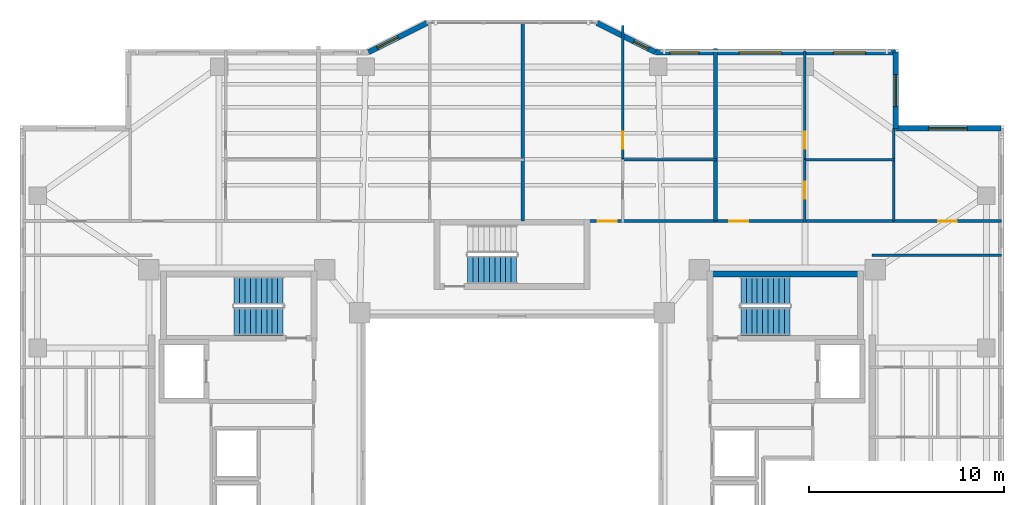
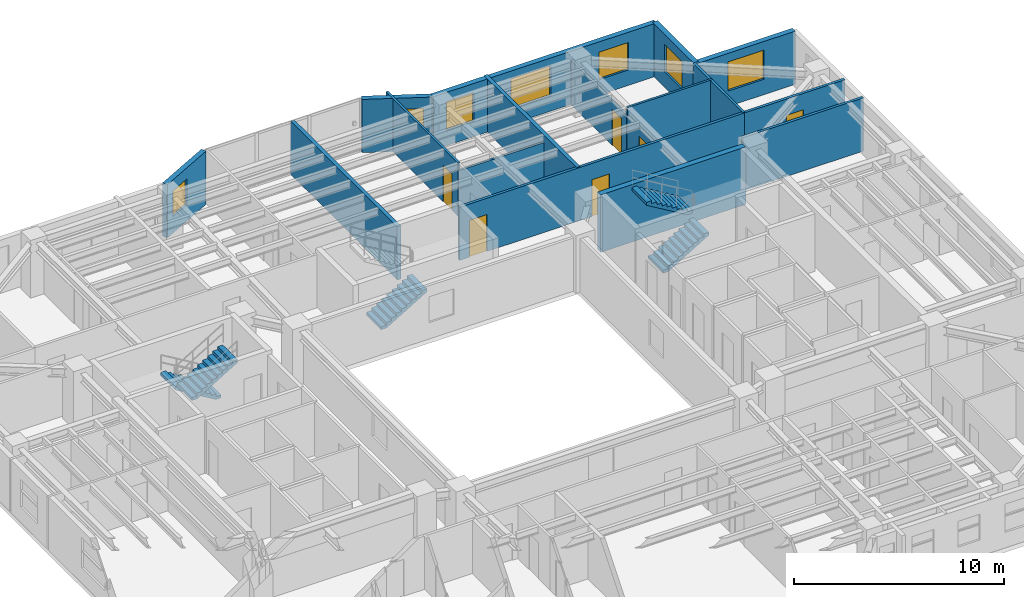
# One storey, part 11 of 16: 17 walls, 7 windows, 6 doors, 5 stair flights, 13 openings, 3 elements without a shape of their own.
"""IFC4 building model written with IfcOpenShell, lengths in metres."""

from ifc_helpers import new_model, si_unit, direction, frame, frame_2d, origin, place, context, subcontext, project, spatial, polyline, rectangle, outline, extrude, material, layer, layer_set, type_object, element, fill, aggregate, save


model = new_model("IFC4")

# Units and contexts
model_context = context("Model", 3, precision=1e-05, world=origin(), true_north=direction((0.0, 1.0)))
body_context = subcontext(model_context, "Body", "Model", "MODEL_VIEW")
ifc_project = project(units=[si_unit("LENGTHUNIT", "METRE"), si_unit("AREAUNIT", "SQUARE_METRE"), si_unit("VOLUMEUNIT", "CUBIC_METRE"), si_unit("PLANEANGLEUNIT", "RADIAN"), si_unit("MASSUNIT", "GRAM", prefix="KILO")], contexts=[model_context])

# Site, building, storey
site_placement = place(None, origin())
site = spatial("IfcSite", under=ifc_project, at=site_placement, CompositionType="ELEMENT")
building_placement = place(site_placement, origin())
building = spatial("IfcBuilding", under=site, at=building_placement, Name="Tarnavaz Court Tower", CompositionType="ELEMENT")
storey_placement = place(building_placement, frame((0.0, 0.0, 166.10009765625)))
storey = spatial("IfcBuildingStorey", under=building, at=storey_placement, Name="L45", CompositionType="ELEMENT", Elevation=166.10009765625)

# Wall
ifc_material_1 = material(Name="Concrete C50/60", Category="concrete")
ifc_layer_1 = layer(ifc_material_1, 0.300048828125)
ifc_layer_set_1 = layer_set([ifc_layer_1], Name="Concrete C50/60")
wall_type_1 = type_object("IfcWallType", Name="WL-CORE-300-C50", PredefinedType="SHEAR", material=ifc_layer_set_1)
wall_1_placement = place(storey_placement, frame((10.0, 9.7900390625, 0.0), z_axis=(0.0, 0.0, 1.0), x_axis=(1.0, 0.0, 0.0)))
element("IfcWall", 1, at=wall_1_placement, inside=storey, type_object=wall_type_1, Name="L45 East Stair Core Wall 005", PredefinedType="SHEAR", context=body_context, shape_type="SweptSolid", body=[
    extrude(rectangle(XDim=8.0, YDim=0.300048828125, at=frame_2d((4.0, 0.0))), origin(), (0.0, 0.0, 1.0), 3.349853515625),
])

# Wall, opening, window
ifc_material_2 = material(Name="Precast Concrete C40/50", Category="concrete")
ifc_layer_2 = layer(ifc_material_2, 0.280029296875)
ifc_layer_set_2 = layer_set([ifc_layer_2], Name="Precast Concrete C40/50")
wall_type_2 = type_object("IfcWallType", Name="WL-EXT-280", PredefinedType="SOLIDWALL", material=ifc_layer_set_2)
wall_2_placement = place(storey_placement, frame((-7.35009765625, 21.14990234375, 0.0), z_axis=(0.0, 0.0, 1.0), x_axis=(0.894427191, 0.4472135955, 0.0)))
wall_2 = element("IfcWall", 2, at=wall_2_placement, inside=storey, type_object=wall_type_2, Name="L45 Exterior Terracotta Facade Wall 06", PredefinedType="SOLIDWALL", context=body_context, shape_type="SweptSolid", body=[
    extrude(rectangle(XDim=3.35400390625, YDim=0.280029296875, at=frame_2d((1.677001953125, 0.0))), origin(), (0.0, 0.0, 1.0), 3.099853515625),
])
opening_1_placement = place(wall_2_placement, frame((0.501220703125, 0.0, 0.949951171875)))
opening_1 = element("IfcOpeningElement", 3, at=opening_1_placement, cuts=wall_2, Name="Opening W05", PredefinedType="OPENING", context=body_context, shape_type="SweptSolid", body=[
    extrude(rectangle(XDim=1.199951171875, YDim=1.5, at=frame_2d((0.60009765625, 0.75))), frame((0.0, 0.14990234375, 0.0), z_axis=(0.0, -1.0, 0.0), x_axis=(1.0, 0.0, 0.0)), (0.0, 0.0, 1.0), 0.300048828125),
])
ifc_material_3 = material(Name="Double-Glazed Solar Low-E Glass", Category="glass")
window_type_1 = type_object("IfcWindowType", Name="WN-APT-1200", PartitioningType="SINGLE_PANEL", PredefinedType="WINDOW", material=ifc_material_3)
window_1_placement = place(opening_1_placement, origin())
window_1 = element("IfcWindow", 4, at=window_1_placement, inside=storey, type_object=window_type_1, Name="L45 Flat 02 Studio Living and Sleeping Room Window", OverallHeight=1.5, OverallWidth=1.199951171875, PartitioningType="SINGLE_PANEL", PredefinedType="WINDOW", context=body_context, shape_type="SweptSolid", body=[
    extrude(rectangle(XDim=1.199951171875, YDim=1.5, at=frame_2d((0.60009765625, 0.75))), frame((0.0, 0.030029296875, 0.0), z_axis=(0.0, -1.0, 0.0), x_axis=(1.0, 0.0, 0.0)), (0.0, 0.0, 1.0), 0.06005859375),
])
fill(opening_1, window_1)

wall_3_placement = place(storey_placement, frame((4.35009765625, 22.64990234375, 0.0), z_axis=(0.0, 0.0, 1.0), x_axis=(0.894427191, -0.4472135955, 0.0)))
wall_3 = element("IfcWall", 5, at=wall_3_placement, inside=storey, type_object=wall_type_2, Name="L45 Exterior Terracotta Facade Wall 08", PredefinedType="SOLIDWALL", context=body_context, shape_type="SweptSolid", body=[
    extrude(rectangle(XDim=3.35400390625, YDim=0.280029296875, at=frame_2d((1.677001953125, 0.0))), origin(), (0.0, 0.0, 1.0), 3.099853515625),
])
opening_2_placement = place(wall_3_placement, frame((2.1083984375, 0.0, 0.949951171875)))
opening_2 = element("IfcOpeningElement", 6, at=opening_2_placement, cuts=wall_3, Name="Opening W15", PredefinedType="OPENING", context=body_context, shape_type="SweptSolid", body=[
    extrude(rectangle(XDim=0.85009765625, YDim=1.5, at=frame_2d((0.425048828125, 0.75))), frame((0.0, 0.14990234375, 0.0), z_axis=(0.0, -1.0, 0.0), x_axis=(1.0, 0.0, 0.0)), (0.0, 0.0, 1.0), 0.300048828125),
])
window_type_2 = type_object("IfcWindowType", Name="WN-APT-850", PartitioningType="SINGLE_PANEL", PredefinedType="WINDOW", material=ifc_material_3)
window_2_placement = place(opening_2_placement, origin())
window_2 = element("IfcWindow", 7, at=window_2_placement, inside=storey, type_object=window_type_2, Name="L45 Flat 03 Kitchen Window", OverallHeight=1.5, OverallWidth=0.85009765625, PartitioningType="SINGLE_PANEL", PredefinedType="WINDOW", context=body_context, shape_type="SweptSolid", body=[
    extrude(rectangle(XDim=0.85009765625, YDim=1.5, at=frame_2d((0.425048828125, 0.75))), frame((0.0, 0.030029296875, 0.0), z_axis=(0.0, -1.0, 0.0), x_axis=(1.0, 0.0, 0.0)), (0.0, 0.0, 1.0), 0.06005859375),
])
fill(opening_2, window_2)

# Wall, openings, windows
wall_4_placement = place(storey_placement, frame((7.35009765625, 21.14990234375, 0.0), z_axis=(0.0, 0.0, 1.0), x_axis=(1.0, 0.0, 0.0)))
wall_4 = element("IfcWall", 8, at=wall_4_placement, inside=storey, type_object=wall_type_2, Name="L45 Exterior Terracotta Facade Wall 09", PredefinedType="SOLIDWALL", context=body_context, shape_type="SweptSolid", body=[
    extrude(rectangle(XDim=12.2998046875, YDim=0.280029296875, at=frame_2d((6.14990234375, 0.0))), origin(), (0.0, 0.0, 1.0), 3.099853515625),
])
opening_3_placement = place(wall_4_placement, frame((0.73095703125, 0.0, 0.89990234375)))
opening_3 = element("IfcOpeningElement", 9, at=opening_3_placement, cuts=wall_4, Name="Opening W03", PredefinedType="OPENING", context=body_context, shape_type="SweptSolid", body=[
    extrude(rectangle(XDim=1.5, YDim=1.64990234375, at=frame_2d((0.75, 0.824951171875))), frame((0.0, 0.14990234375, 0.0), z_axis=(0.0, -1.0, 0.0), x_axis=(1.0, 0.0, 0.0)), (0.0, 0.0, 1.0), 0.300048828125),
])
opening_4_placement = place(wall_4_placement, frame((4.271728515625, 0.0, 0.89990234375)))
opening_4 = element("IfcOpeningElement", 10, at=opening_4_placement, cuts=wall_4, Name="Opening W07", PredefinedType="OPENING", context=body_context, shape_type="SweptSolid", body=[
    extrude(rectangle(XDim=2.199951171875, YDim=1.75, at=frame_2d((1.10009765625, 0.875))), frame((0.0, 0.14990234375, 0.0), z_axis=(0.0, -1.0, 0.0), x_axis=(1.0, 0.0, 0.0)), (0.0, 0.0, 1.0), 0.300048828125),
])
opening_5_placement = place(wall_4_placement, frame((9.115478515625, 0.0, 0.89990234375)))
opening_5 = element("IfcOpeningElement", 11, at=opening_5_placement, cuts=wall_4, Name="Opening W02", PredefinedType="OPENING", context=body_context, shape_type="SweptSolid", body=[
    extrude(rectangle(XDim=1.64990234375, YDim=1.60009765625, at=frame_2d((0.824951171875, 0.800048828125))), frame((0.0, 0.14990234375, 0.0), z_axis=(0.0, -1.0, 0.0), x_axis=(1.0, 0.0, 0.0)), (0.0, 0.0, 1.0), 0.300048828125),
])
window_type_3 = type_object("IfcWindowType", Name="WN-APT-1500", PartitioningType="DOUBLE_PANEL_VERTICAL", PredefinedType="WINDOW", material=ifc_material_3)
window_3_placement = place(opening_3_placement, origin())
window_3 = element("IfcWindow", 12, at=window_3_placement, inside=storey, type_object=window_type_3, Name="L45 Flat 03 Kitchen Window", OverallHeight=1.64990234375, OverallWidth=1.5, PartitioningType="SINGLE_PANEL", PredefinedType="WINDOW", context=body_context, shape_type="SweptSolid", body=[
    extrude(rectangle(XDim=1.5, YDim=1.64990234375, at=frame_2d((0.75, 0.824951171875))), frame((0.0, 0.030029296875, 0.0), z_axis=(0.0, -1.0, 0.0), x_axis=(1.0, 0.0, 0.0)), (0.0, 0.0, 1.0), 0.06005859375),
])
fill(opening_3, window_3)
window_type_4 = type_object("IfcWindowType", Name="WN-APT-1650", PartitioningType="DOUBLE_PANEL_VERTICAL", PredefinedType="WINDOW", material=ifc_material_3)
window_4_placement = place(opening_5_placement, origin())
window_4 = element("IfcWindow", 13, at=window_4_placement, inside=storey, type_object=window_type_4, Name="L45 Flat 04 Kitchen Window", OverallHeight=1.60009765625, OverallWidth=1.64990234375, PartitioningType="SINGLE_PANEL", PredefinedType="WINDOW", context=body_context, shape_type="SweptSolid", body=[
    extrude(rectangle(XDim=1.64990234375, YDim=1.60009765625, at=frame_2d((0.824951171875, 0.800048828125))), frame((0.0, 0.030029296875, 0.0), z_axis=(0.0, -1.0, 0.0), x_axis=(1.0, 0.0, 0.0)), (0.0, 0.0, 1.0), 0.06005859375),
])
fill(opening_5, window_4)
window_type_5 = type_object("IfcWindowType", Name="WN-APT-2200", PartitioningType="TRIPLE_PANEL_VERTICAL", PredefinedType="WINDOW", material=ifc_material_3)
window_5_placement = place(opening_4_placement, origin())
window_5 = element("IfcWindow", 14, at=window_5_placement, inside=storey, type_object=window_type_5, Name="L45 Flat 04 Studio Living and Sleeping Room Window", OverallHeight=1.75, OverallWidth=2.199951171875, PartitioningType="SINGLE_PANEL", PredefinedType="WINDOW", context=body_context, shape_type="SweptSolid", body=[
    extrude(rectangle(XDim=2.199951171875, YDim=1.75, at=frame_2d((1.10009765625, 0.875))), frame((0.0, 0.030029296875, 0.0), z_axis=(0.0, -1.0, 0.0), x_axis=(1.0, 0.0, 0.0)), (0.0, 0.0, 1.0), 0.06005859375),
])
fill(opening_4, window_5)

# Wall, opening, window
wall_5_placement = place(storey_placement, frame((19.64990234375, 21.14990234375, 0.0), z_axis=(0.0, 0.0, 1.0), x_axis=(0.0, -1.0, 0.0)))
wall_5 = element("IfcWall", 15, at=wall_5_placement, inside=storey, type_object=wall_type_2, Name="L45 Exterior Terracotta Facade Wall 10", PredefinedType="SOLIDWALL", context=body_context, shape_type="SweptSolid", body=[
    extrude(rectangle(XDim=3.89990234375, YDim=0.280029296875, at=frame_2d((1.949951171875, 0.0))), origin(), (0.0, 0.0, 1.0), 3.099853515625),
])
opening_6_placement = place(wall_5_placement, frame((1.142822265625, 0.0, 0.89990234375)))
opening_6 = element("IfcOpeningElement", 16, at=opening_6_placement, cuts=wall_5, Name="Opening W02", PredefinedType="OPENING", context=body_context, shape_type="SweptSolid", body=[
    extrude(rectangle(XDim=1.64990234375, YDim=1.60009765625, at=frame_2d((0.824951171875, 0.800048828125))), frame((0.0, 0.14990234375, 0.0), z_axis=(0.0, -1.0, 0.0), x_axis=(1.0, 0.0, 0.0)), (0.0, 0.0, 1.0), 0.300048828125),
])
window_6_placement = place(opening_6_placement, origin())
window_6 = element("IfcWindow", 17, at=window_6_placement, inside=storey, type_object=window_type_4, Name="L45 Flat 04 Kitchen Window", OverallHeight=1.60009765625, OverallWidth=1.64990234375, PartitioningType="SINGLE_PANEL", PredefinedType="WINDOW", context=body_context, shape_type="SweptSolid", body=[
    extrude(rectangle(XDim=1.64990234375, YDim=1.60009765625, at=frame_2d((0.824951171875, 0.800048828125))), frame((0.0, 0.030029296875, 0.0), z_axis=(0.0, -1.0, 0.0), x_axis=(1.0, 0.0, 0.0)), (0.0, 0.0, 1.0), 0.06005859375),
])
fill(opening_6, window_6)

wall_6_placement = place(storey_placement, frame((19.64990234375, 17.25, 0.0), z_axis=(0.0, 0.0, 1.0), x_axis=(1.0, 0.0, 0.0)))
wall_6 = element("IfcWall", 18, at=wall_6_placement, inside=storey, type_object=wall_type_2, Name="L45 Exterior Terracotta Facade Wall 11", PredefinedType="SOLIDWALL", context=body_context, shape_type="SweptSolid", body=[
    extrude(rectangle(XDim=5.400146484375, YDim=0.280029296875, at=frame_2d((2.7001953125, 0.0))), origin(), (0.0, 0.0, 1.0), 3.099853515625),
])
opening_7_placement = place(wall_6_placement, frame((1.675048828125, 0.0, 0.89990234375)))
opening_7 = element("IfcOpeningElement", 19, at=opening_7_placement, cuts=wall_6, Name="Opening W08", PredefinedType="OPENING", context=body_context, shape_type="SweptSolid", body=[
    extrude(rectangle(XDim=2.0, YDim=1.699951171875, at=frame_2d((1.0, 0.85009765625))), frame((0.0, 0.14990234375, 0.0), z_axis=(0.0, -1.0, 0.0), x_axis=(1.0, 0.0, 0.0)), (0.0, 0.0, 1.0), 0.300048828125),
])
window_type_6 = type_object("IfcWindowType", Name="WN-APT-2000", PartitioningType="DOUBLE_PANEL_VERTICAL", PredefinedType="WINDOW", material=ifc_material_3)
window_7_placement = place(opening_7_placement, origin())
window_7 = element("IfcWindow", 20, at=window_7_placement, inside=storey, type_object=window_type_6, Name="L45 North-East Corner Sunroom Study Window", OverallHeight=1.699951171875, OverallWidth=2.0, PartitioningType="SINGLE_PANEL", PredefinedType="WINDOW", context=body_context, shape_type="SweptSolid", body=[
    extrude(rectangle(XDim=2.0, YDim=1.699951171875, at=frame_2d((1.0, 0.85009765625))), frame((0.0, 0.030029296875, 0.0), z_axis=(0.0, -1.0, 0.0), x_axis=(1.0, 0.0, 0.0)), (0.0, 0.0, 1.0), 0.06005859375),
])
fill(opening_7, window_7)

# Wall, openings, doors
ifc_material_4 = material(Name="Gypsum Fire-Board on Acoustic Metal Stud", Category="masonry")
ifc_layer_3 = layer(ifc_material_4, 0.14990234375)
ifc_layer_set_3 = layer_set([ifc_layer_3], Name="Gypsum Fire-Board on Acoustic Metal Stud")
wall_type_3 = type_object("IfcWallType", Name="WL-FIRE-150", PredefinedType="PARTITIONING", material=ifc_layer_set_3)
wall_7_placement = place(storey_placement, frame((3.85009765625, 12.5, 0.0), z_axis=(0.0, 0.0, 1.0), x_axis=(1.0, 0.0, 0.0)))
wall_7 = element("IfcWall", 21, at=wall_7_placement, inside=storey, type_object=wall_type_3, Name="L45 NE Wing Corridor Wall 072", PredefinedType="PARTITIONING", context=body_context, shape_type="SweptSolid", body=[
    extrude(rectangle(XDim=15.699951171875, YDim=0.14990234375, at=frame_2d((7.85009765625, 0.0))), origin(), (0.0, 0.0, 1.0), 3.099853515625),
])
opening_8_placement = place(wall_7_placement, frame((0.550048828125, 0.0, 0.0)))
opening_8 = element("IfcOpeningElement", 22, at=opening_8_placement, cuts=wall_7, Name="Opening D06", PredefinedType="OPENING", context=body_context, shape_type="SweptSolid", body=[
    extrude(rectangle(XDim=0.9599609375, YDim=2.14990234375, at=frame_2d((0.47998046875, 1.074951171875))), frame((0.0, 0.0849609375, 0.0), z_axis=(0.0, -1.0, 0.0), x_axis=(1.0, 0.0, 0.0)), (0.0, 0.0, 1.0), 0.169921875),
])
opening_9_placement = place(wall_7_placement, frame((7.280029296875, 0.0, 0.0)))
opening_9 = element("IfcOpeningElement", 23, at=opening_9_placement, cuts=wall_7, Name="Opening D06", PredefinedType="OPENING", context=body_context, shape_type="SweptSolid", body=[
    extrude(rectangle(XDim=0.9599609375, YDim=2.14990234375, at=frame_2d((0.47998046875, 1.074951171875))), frame((0.0, 0.0849609375, 0.0), z_axis=(0.0, -1.0, 0.0), x_axis=(1.0, 0.0, 0.0)), (0.0, 0.0, 1.0), 0.169921875),
])
ifc_material_5 = material(Name="Fire-Rated Hardwood Timber Core", Category="wood")
door_type_1 = type_object("IfcDoorType", Name="DR-FD60-950", OperationType="NOTDEFINED", PredefinedType="DOOR", material=ifc_material_5)
door_1_placement = place(opening_8_placement, origin())
door_1 = element("IfcDoor", 24, at=door_1_placement, inside=storey, type_object=door_type_1, Name="L45 Flat 03 Entrance Door", OperationType="SINGLE_SWING_LEFT", OverallHeight=2.14990234375, OverallWidth=0.9599609375, PredefinedType="DOOR", context=body_context, shape_type="SweptSolid", body=[
    extrude(rectangle(XDim=0.9599609375, YDim=2.14990234375, at=frame_2d((0.47998046875, 1.074951171875))), frame((0.0, 0.02490234375, 0.0), z_axis=(0.0, -1.0, 0.0), x_axis=(1.0, 0.0, 0.0)), (0.0, 0.0, 1.0), 0.050048828125),
])
fill(opening_8, door_1)
door_2_placement = place(opening_9_placement, origin())
door_2 = element("IfcDoor", 25, at=door_2_placement, inside=storey, type_object=door_type_1, Name="L45 Flat 04 Entrance Door", OperationType="SINGLE_SWING_RIGHT", OverallHeight=2.14990234375, OverallWidth=0.9599609375, PredefinedType="DOOR", context=body_context, shape_type="SweptSolid", body=[
    extrude(rectangle(XDim=0.9599609375, YDim=2.14990234375, at=frame_2d((0.47998046875, 1.074951171875))), frame((0.0, 0.02490234375, 0.0), z_axis=(0.0, -1.0, 0.0), x_axis=(1.0, 0.0, 0.0)), (0.0, 0.0, 1.0), 0.050048828125),
])
fill(opening_9, door_2)

# Wall
wall_8_placement = place(storey_placement, frame((18.449951171875, 10.75, 0.0), z_axis=(0.0, 0.0, 1.0), x_axis=(1.0, 0.0, 0.0)))
element("IfcWall", 26, at=wall_8_placement, inside=storey, type_object=wall_type_3, Name="L45 Interior Partition 117", PredefinedType="PARTITIONING", context=body_context, shape_type="SweptSolid", body=[
    extrude(rectangle(XDim=6.630126953125, YDim=0.14990234375, at=frame_2d((3.31494140625, 0.0))), origin(), (0.0, 0.0, 1.0), 3.099853515625),
])

# Wall, opening, door
wall_9_placement = place(storey_placement, frame((19.550048828125, 12.5, 0.0), z_axis=(0.0, 0.0, 1.0), x_axis=(1.0, 0.0, 0.0)))
wall_9 = element("IfcWall", 27, at=wall_9_placement, inside=storey, type_object=wall_type_3, Name="L45 Interior Partition 123", PredefinedType="PARTITIONING", context=body_context, shape_type="SweptSolid", body=[
    extrude(rectangle(XDim=5.530029296875, YDim=0.14990234375, at=frame_2d((2.76513671875, 0.0))), origin(), (0.0, 0.0, 1.0), 3.099853515625),
])
opening_10_placement = place(wall_9_placement, frame((2.2900390625, 0.0, 0.0)))
opening_10 = element("IfcOpeningElement", 28, at=opening_10_placement, cuts=wall_9, Name="Opening D13", PredefinedType="OPENING", context=body_context, shape_type="SweptSolid", body=[
    extrude(rectangle(XDim=0.949951171875, YDim=2.14990234375, at=frame_2d((0.47509765625, 1.074951171875))), frame((0.0, 0.0849609375, 0.0), z_axis=(0.0, -1.0, 0.0), x_axis=(1.0, 0.0, 0.0)), (0.0, 0.0, 1.0), 0.169921875),
])
ifc_material_6 = material(Name="Engineered Oak Timber", Category="wood")
door_type_2 = type_object("IfcDoorType", Name="DR-INT-950", OperationType="NOTDEFINED", PredefinedType="DOOR", material=ifc_material_6)
door_3_placement = place(opening_10_placement, origin())
door_3 = element("IfcDoor", 29, at=door_3_placement, inside=storey, type_object=door_type_2, Name="L45 NE Sunroom Door", OperationType="SINGLE_SWING_RIGHT", OverallHeight=2.14990234375, OverallWidth=0.949951171875, PredefinedType="DOOR", context=body_context, shape_type="SweptSolid", body=[
    extrude(rectangle(XDim=0.949951171875, YDim=2.14990234375, at=frame_2d((0.47509765625, 1.074951171875))), frame((0.0, 0.02490234375, 0.0), z_axis=(0.0, -1.0, 0.0), x_axis=(1.0, 0.0, 0.0)), (0.0, 0.0, 1.0), 0.050048828125),
])
fill(opening_10, door_3)

# Walls
ifc_material_7 = material(Name="Autoclaved Aerated Concrete Blockwork", Category="masonry")
ifc_layer_4 = layer(ifc_material_7, 0.199951171875)
ifc_layer_set_4 = layer_set([ifc_layer_4], Name="Autoclaved Aerated Concrete Blockwork")
wall_type_4 = type_object("IfcWallType", Name="WL-FIRE-200", PredefinedType="SOLIDWALL", material=ifc_layer_set_4)
wall_10_placement = place(storey_placement, frame((0.550048828125, 12.5, 0.0), z_axis=(0.0, 0.0, 1.0), x_axis=(0.0, 1.0, 0.0)))
element("IfcWall", 30, at=wall_10_placement, inside=storey, type_object=wall_type_4, Name="L45 North Center Party Wall 075", PredefinedType="SOLIDWALL", context=body_context, shape_type="SweptSolid", body=[
    extrude(rectangle(XDim=10.179931640625, YDim=0.199951171875, at=frame_2d((5.08984375, 0.0))), origin(), (0.0, 0.0, 1.0), 3.099853515625),
])
wall_11_placement = place(storey_placement, frame((10.429931640625, 12.5, 0.0), z_axis=(0.0, 0.0, 1.0), x_axis=(0.0, 1.0, 0.0)))
element("IfcWall", 31, at=wall_11_placement, inside=storey, type_object=wall_type_4, Name="L45 Party Wall 083", PredefinedType="SOLIDWALL", context=body_context, shape_type="SweptSolid", body=[
    extrude(rectangle(XDim=8.841064453125, YDim=0.199951171875, at=frame_2d((4.42041015625, 0.0))), origin(), (0.0, 0.0, 1.0), 3.099853515625),
])

# Wall, opening, door
ifc_material_8 = material(Name="Moisture-Resistant Gypsum Board Partition", Category="masonry")
ifc_layer_5 = layer(ifc_material_8, 0.1201171875)
ifc_layer_set_5 = layer_set([ifc_layer_5], Name="Moisture-Resistant Gypsum Board Partition")
wall_type_5 = type_object("IfcWallType", Name="WL-PART-120", PredefinedType="PARTITIONING", material=ifc_layer_set_5)
wall_12_placement = place(storey_placement, frame((5.669921875, 15.64990234375, 0.0), z_axis=(0.0, 0.0, 1.0), x_axis=(0.0, 1.0, 0.0)))
wall_12 = element("IfcWall", 32, at=wall_12_placement, inside=storey, type_object=wall_type_5, Name="L45 Interior Partition 085", PredefinedType="PARTITIONING", context=body_context, shape_type="SweptSolid", body=[
    extrude(rectangle(XDim=6.864990234375, YDim=0.1201171875, at=frame_2d((3.4326171875, 0.0))), origin(), (0.0, 0.0, 1.0), 3.099853515625),
])
opening_11_placement = place(wall_12_placement, frame((0.550048828125, 0.0, 0.0)))
opening_11 = element("IfcOpeningElement", 33, at=opening_11_placement, cuts=wall_12, Name="Opening D14", PredefinedType="OPENING", context=body_context, shape_type="SweptSolid", body=[
    extrude(rectangle(XDim=0.8798828125, YDim=2.10009765625, at=frame_2d((0.43994140625, 1.050048828125))), frame((0.0, 0.070068359375, 0.0), z_axis=(0.0, -1.0, 0.0), x_axis=(1.0, 0.0, 0.0)), (0.0, 0.0, 1.0), 0.14013671875),
])
door_type_3 = type_object("IfcDoorType", Name="DR-INT-900", OperationType="NOTDEFINED", PredefinedType="DOOR", material=ifc_material_6)
door_4_placement = place(opening_11_placement, origin())
door_4 = element("IfcDoor", 34, at=door_4_placement, inside=storey, type_object=door_type_3, Name="L45 Flat 03 Kitchen Door", OperationType="SINGLE_SWING_LEFT", OverallHeight=2.10009765625, OverallWidth=0.8798828125, PredefinedType="DOOR", context=body_context, shape_type="SweptSolid", body=[
    extrude(rectangle(XDim=0.8798828125, YDim=2.10009765625, at=frame_2d((0.43994140625, 1.050048828125))), frame((0.0, 0.02490234375, 0.0), z_axis=(0.0, -1.0, 0.0), x_axis=(1.0, 0.0, 0.0)), (0.0, 0.0, 1.0), 0.050048828125),
])
fill(opening_11, door_4)

# Wall
wall_13_placement = place(storey_placement, frame((5.610107421875, 15.64990234375, 0.0), z_axis=(0.0, 0.0, 1.0), x_axis=(1.0, 0.0, 0.0)))
element("IfcWall", 35, at=wall_13_placement, inside=storey, type_object=wall_type_5, Name="L45 Interior Partition 086", PredefinedType="PARTITIONING", context=body_context, shape_type="SweptSolid", body=[
    extrude(rectangle(XDim=4.8798828125, YDim=0.1201171875, at=frame_2d((2.43994140625, 0.0))), origin(), (0.0, 0.0, 1.0), 2.684814453125),
])

# Wall, opening, door
wall_14_placement = place(storey_placement, frame((14.989990234375, 12.43994140625, 0.0), z_axis=(0.0, 0.0, 1.0), x_axis=(0.0, 1.0, 0.0)))
wall_14 = element("IfcWall", 36, at=wall_14_placement, inside=storey, type_object=wall_type_5, Name="L45 Interior Partition 087", PredefinedType="PARTITIONING", context=body_context, shape_type="SweptSolid", body=[
    extrude(rectangle(XDim=3.2099609375, YDim=0.1201171875, at=frame_2d((1.60498046875, 0.0))), origin(), (0.0, 0.0, 1.0), 2.5849609375),
])
opening_12_placement = place(wall_14_placement, frame((1.195068359375, 0.0, 0.0)))
opening_12 = element("IfcOpeningElement", 37, at=opening_12_placement, cuts=wall_14, Name="Opening D14", PredefinedType="OPENING", context=body_context, shape_type="SweptSolid", body=[
    extrude(rectangle(XDim=0.8798828125, YDim=2.10009765625, at=frame_2d((0.43994140625, 1.050048828125))), frame((0.0, 0.070068359375, 0.0), z_axis=(0.0, -1.0, 0.0), x_axis=(1.0, 0.0, 0.0)), (0.0, 0.0, 1.0), 0.14013671875),
])
door_5_placement = place(opening_12_placement, origin())
door_5 = element("IfcDoor", 38, at=door_5_placement, inside=storey, type_object=door_type_3, Name="L45 Flat 04 Bathroom Door", OperationType="SINGLE_SWING_LEFT", OverallHeight=2.10009765625, OverallWidth=0.8798828125, PredefinedType="DOOR", context=body_context, shape_type="SweptSolid", body=[
    extrude(rectangle(XDim=0.8798828125, YDim=2.10009765625, at=frame_2d((0.43994140625, 1.050048828125))), frame((0.0, 0.02490234375, 0.0), z_axis=(0.0, -1.0, 0.0), x_axis=(1.0, 0.0, 0.0)), (0.0, 0.0, 1.0), 0.050048828125),
])
fill(opening_12, door_5)

wall_15_placement = place(storey_placement, frame((14.989990234375, 15.64990234375, 0.0), z_axis=(0.0, 0.0, 1.0), x_axis=(0.0, 1.0, 0.0)))
wall_15 = element("IfcWall", 39, at=wall_15_placement, inside=storey, type_object=wall_type_5, Name="L45 Interior Partition 088", PredefinedType="PARTITIONING", context=body_context, shape_type="SweptSolid", body=[
    extrude(rectangle(XDim=5.550048828125, YDim=0.1201171875, at=frame_2d((2.77490234375, 0.0))), origin(), (0.0, 0.0, 1.0), 2.5849609375),
])
opening_13_placement = place(wall_15_placement, frame((0.550048828125, 0.0, 0.0)))
opening_13 = element("IfcOpeningElement", 40, at=opening_13_placement, cuts=wall_15, Name="Opening D14", PredefinedType="OPENING", context=body_context, shape_type="SweptSolid", body=[
    extrude(rectangle(XDim=0.8798828125, YDim=2.10009765625, at=frame_2d((0.43994140625, 1.050048828125))), frame((0.0, 0.070068359375, 0.0), z_axis=(0.0, -1.0, 0.0), x_axis=(1.0, 0.0, 0.0)), (0.0, 0.0, 1.0), 0.14013671875),
])
door_6_placement = place(opening_13_placement, origin())
door_6 = element("IfcDoor", 41, at=door_6_placement, inside=storey, type_object=door_type_3, Name="L45 Flat 04 Kitchen Door", OperationType="SINGLE_SWING_RIGHT", OverallHeight=2.10009765625, OverallWidth=0.8798828125, PredefinedType="DOOR", context=body_context, shape_type="SweptSolid", body=[
    extrude(rectangle(XDim=0.8798828125, YDim=2.10009765625, at=frame_2d((0.43994140625, 1.050048828125))), frame((0.0, 0.02490234375, 0.0), z_axis=(0.0, -1.0, 0.0), x_axis=(1.0, 0.0, 0.0)), (0.0, 0.0, 1.0), 0.050048828125),
])
fill(opening_13, door_6)

# Walls
wall_16_placement = place(storey_placement, frame((14.929931640625, 15.64990234375, 0.0), z_axis=(0.0, 0.0, 1.0), x_axis=(1.0, 0.0, 0.0)))
element("IfcWall", 42, at=wall_16_placement, inside=storey, type_object=wall_type_5, Name="L45 Interior Partition 089", PredefinedType="PARTITIONING", context=body_context, shape_type="SweptSolid", body=[
    extrude(rectangle(XDim=4.68017578125, YDim=0.1201171875, at=frame_2d((2.340087890625, 0.0))), origin(), (0.0, 0.0, 1.0), 3.099853515625),
])
ifc_material_9 = material(Name="Gypsum Plasterboard Acoustic Partition", Category="masonry")
ifc_layer_6 = layer(ifc_material_9, 0.139892578125)
ifc_layer_set_6 = layer_set([ifc_layer_6], Name="Gypsum Plasterboard Acoustic Partition")
wall_type_6 = type_object("IfcWallType", Name="WL-PART-150", PredefinedType="PARTITIONING", material=ifc_layer_set_6)
wall_17_placement = place(storey_placement, frame((19.550048828125, 12.5, 0.0), z_axis=(0.0, 0.0, 1.0), x_axis=(0.0, 1.0, 0.0)))
element("IfcWall", 43, at=wall_17_placement, inside=storey, type_object=wall_type_6, Name="L45 Interior Partition 121", PredefinedType="PARTITIONING", context=body_context, shape_type="SweptSolid", body=[
    extrude(rectangle(XDim=4.75, YDim=0.139892578125, at=frame_2d((2.375, 0.0))), origin(), (0.0, 0.0, 1.0), 3.099853515625),
])

# Stair, stair flights
ifc_material_10 = material(Name="Concrete C40/50", Category="concrete")
stair_type = type_object("IfcStairType", Name="ST-TWR-20R", PredefinedType="HALF_TURN_STAIR", material=ifc_material_10)
stair_1_placement = place(storey_placement, origin())
stair_1 = element("IfcStair", 44, at=stair_1_placement, inside=storey, type_object=stair_type, Name="L45 West Core Pressurized Exit Stair ST-W1", PredefinedType="HALF_TURN_STAIR")
stair_flight_type = type_object("IfcStairFlightType", Name="SFL-RC-20R", PredefinedType="STRAIGHT", material=ifc_material_10)
stair_flight_1_placement = place(storey_placement, frame((-11.719970703125, 8.929931640625, 0.0), z_axis=(0.0, 0.0, 1.0), x_axis=(-1.0, 0.0, 0.0)))
stair_flight_1 = element("IfcStairFlight", 45, at=stair_flight_1_placement, type_object=stair_flight_type, Name="ST-W1 flight 1", NumberOfRisers=10, NumberOfTreads=9, PredefinedType="STRAIGHT", RiserHeight=0.1675, TreadLength=0.28, context=body_context, shape_type="SweptSolid", body=[
    extrude(outline(polyline([(0.0, 0.0), (0.0, 0.16748046875), (0.280029296875, 0.16748046875), (0.280029296875, 0.3349609375), (0.56005859375, 0.3349609375), (0.56005859375, 0.50244140625), (0.840087890625, 0.50244140625), (0.840087890625, 0.669921875), (1.1201171875, 0.669921875), (1.1201171875, 0.83740234375), (1.39990234375, 0.83740234375), (1.39990234375, 1.0048828125), (1.679931640625, 1.0048828125), (1.679931640625, 1.172607421875), (1.9599609375, 1.172607421875), (1.9599609375, 1.340087890625), (2.239990234375, 1.340087890625), (2.239990234375, 1.507568359375), (2.52001953125, 1.507568359375), (2.52001953125, 1.675048828125), (2.52001953125, 1.332763671875), (0.2919921875, 0.0), (0.0, 0.0)])), frame((0.0, 0.7099609375, 0.0), z_axis=(0.0, -1.0, 0.0), x_axis=(1.0, 0.0, 0.0)), (0.0, 0.0, 1.0), 1.419921875),
])
stair_flight_2_placement = place(storey_placement, frame((-14.239990234375, 7.360107421875, 1.6748046875), z_axis=(0.0, 0.0, 1.0), x_axis=(1.0, 0.0, 0.0)))
stair_flight_2 = element("IfcStairFlight", 46, at=stair_flight_2_placement, type_object=stair_flight_type, Name="ST-W1 flight 2", NumberOfRisers=10, NumberOfTreads=9, PredefinedType="STRAIGHT", RiserHeight=0.1675, TreadLength=0.28, context=body_context, shape_type="SweptSolid", body=[
    extrude(outline(polyline([(0.0, 0.0), (0.0, 0.16748046875), (0.280029296875, 0.16748046875), (0.280029296875, 0.3349609375), (0.56005859375, 0.3349609375), (0.56005859375, 0.50244140625), (0.840087890625, 0.50244140625), (0.840087890625, 0.669921875), (1.1201171875, 0.669921875), (1.1201171875, 0.83740234375), (1.39990234375, 0.83740234375), (1.39990234375, 1.0048828125), (1.679931640625, 1.0048828125), (1.679931640625, 1.172607421875), (1.9599609375, 1.172607421875), (1.9599609375, 1.340087890625), (2.239990234375, 1.340087890625), (2.239990234375, 1.507568359375), (2.52001953125, 1.507568359375), (2.52001953125, 1.675048828125), (2.52001953125, 1.332763671875), (0.2919921875, 0.0), (0.0, 0.0)])), frame((0.0, 0.7099609375, 0.0), z_axis=(0.0, -1.0, 0.0), x_axis=(1.0, 0.0, 0.0)), (0.0, 0.0, 1.0), 1.419921875),
])
aggregate(stair_1, [stair_flight_1, stair_flight_2])

stair_2_placement = place(storey_placement, origin())
stair_2 = element("IfcStair", 47, at=stair_2_placement, inside=storey, type_object=stair_type, Name="L45 East Core Pressurized Exit Stair ST-E1", PredefinedType="HALF_TURN_STAIR")
stair_flight_3_placement = place(storey_placement, frame((11.719970703125, 7.360107421875, 0.0), z_axis=(0.0, 0.0, 1.0), x_axis=(1.0, 0.0, 0.0)))
stair_flight_3 = element("IfcStairFlight", 48, at=stair_flight_3_placement, type_object=stair_flight_type, Name="ST-E1 flight 1", NumberOfRisers=10, NumberOfTreads=9, PredefinedType="STRAIGHT", RiserHeight=0.1675, TreadLength=0.28, context=body_context, shape_type="SweptSolid", body=[
    extrude(outline(polyline([(0.0, 0.0), (0.0, 0.16748046875), (0.280029296875, 0.16748046875), (0.280029296875, 0.3349609375), (0.56005859375, 0.3349609375), (0.56005859375, 0.50244140625), (0.840087890625, 0.50244140625), (0.840087890625, 0.669921875), (1.1201171875, 0.669921875), (1.1201171875, 0.83740234375), (1.39990234375, 0.83740234375), (1.39990234375, 1.0048828125), (1.679931640625, 1.0048828125), (1.679931640625, 1.172607421875), (1.9599609375, 1.172607421875), (1.9599609375, 1.340087890625), (2.239990234375, 1.340087890625), (2.239990234375, 1.507568359375), (2.52001953125, 1.507568359375), (2.52001953125, 1.675048828125), (2.52001953125, 1.332763671875), (0.2919921875, 0.0), (0.0, 0.0)])), frame((0.0, 0.7099609375, 0.0), z_axis=(0.0, -1.0, 0.0), x_axis=(1.0, 0.0, 0.0)), (0.0, 0.0, 1.0), 1.419921875),
])
stair_flight_4_placement = place(storey_placement, frame((14.239990234375, 8.929931640625, 1.6748046875), z_axis=(0.0, 0.0, 1.0), x_axis=(-1.0, 0.0, 0.0)))
stair_flight_4 = element("IfcStairFlight", 49, at=stair_flight_4_placement, type_object=stair_flight_type, Name="ST-E1 flight 2", NumberOfRisers=10, NumberOfTreads=9, PredefinedType="STRAIGHT", RiserHeight=0.1675, TreadLength=0.28, context=body_context, shape_type="SweptSolid", body=[
    extrude(outline(polyline([(0.0, 0.0), (0.0, 0.16748046875), (0.280029296875, 0.16748046875), (0.280029296875, 0.3349609375), (0.56005859375, 0.3349609375), (0.56005859375, 0.50244140625), (0.840087890625, 0.50244140625), (0.840087890625, 0.669921875), (1.1201171875, 0.669921875), (1.1201171875, 0.83740234375), (1.39990234375, 0.83740234375), (1.39990234375, 1.0048828125), (1.679931640625, 1.0048828125), (1.679931640625, 1.172607421875), (1.9599609375, 1.172607421875), (1.9599609375, 1.340087890625), (2.239990234375, 1.340087890625), (2.239990234375, 1.507568359375), (2.52001953125, 1.507568359375), (2.52001953125, 1.675048828125), (2.52001953125, 1.332763671875), (0.2919921875, 0.0), (0.0, 0.0)])), frame((0.0, 0.7099609375, 0.0), z_axis=(0.0, -1.0, 0.0), x_axis=(1.0, 0.0, 0.0)), (0.0, 0.0, 1.0), 1.419921875),
])
aggregate(stair_2, [stair_flight_3, stair_flight_4])

# Stair, stair flight
stair_3_placement = place(storey_placement, origin())
stair_3 = element("IfcStair", 50, at=stair_3_placement, inside=storey, type_object=stair_type, Name="L45 North Ring Pressurized Exit Stair ST-N1", PredefinedType="HALF_TURN_STAIR")
stair_flight_5_placement = place(storey_placement, frame((-2.280029296875, 10.010009765625, 0.0), z_axis=(0.0, 0.0, 1.0), x_axis=(1.0, 0.0, 0.0)))
stair_flight_5 = element("IfcStairFlight", 51, at=stair_flight_5_placement, type_object=stair_flight_type, Name="ST-N1 flight 1", NumberOfRisers=10, NumberOfTreads=9, PredefinedType="STRAIGHT", RiserHeight=0.1675, TreadLength=0.28, context=body_context, shape_type="SweptSolid", body=[
    extrude(outline(polyline([(0.0, 0.0), (0.0, 0.16748046875), (0.280029296875, 0.16748046875), (0.280029296875, 0.3349609375), (0.56005859375, 0.3349609375), (0.56005859375, 0.50244140625), (0.840087890625, 0.50244140625), (0.840087890625, 0.669921875), (1.1201171875, 0.669921875), (1.1201171875, 0.83740234375), (1.39990234375, 0.83740234375), (1.39990234375, 1.0048828125), (1.679931640625, 1.0048828125), (1.679931640625, 1.172607421875), (1.9599609375, 1.172607421875), (1.9599609375, 1.340087890625), (2.239990234375, 1.340087890625), (2.239990234375, 1.507568359375), (2.52001953125, 1.507568359375), (2.52001953125, 1.675048828125), (2.52001953125, 1.332763671875), (0.2919921875, 0.0), (0.0, 0.0)])), frame((0.0, 0.7099609375, 0.0), z_axis=(0.0, -1.0, 0.0), x_axis=(1.0, 0.0, 0.0)), (0.0, 0.0, 1.0), 1.419921875),
])
aggregate(stair_3, [stair_flight_5])

save(model, "model.ifc")
